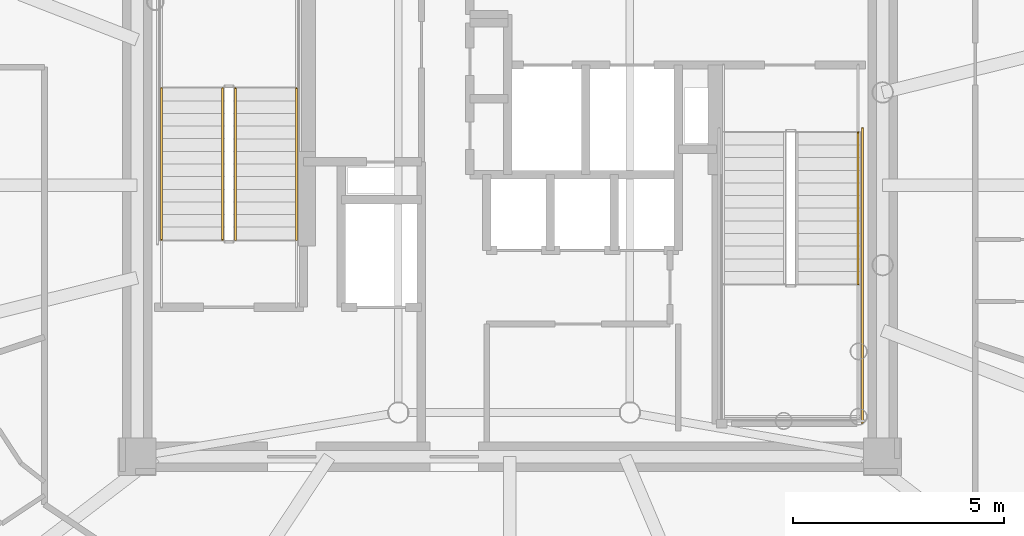
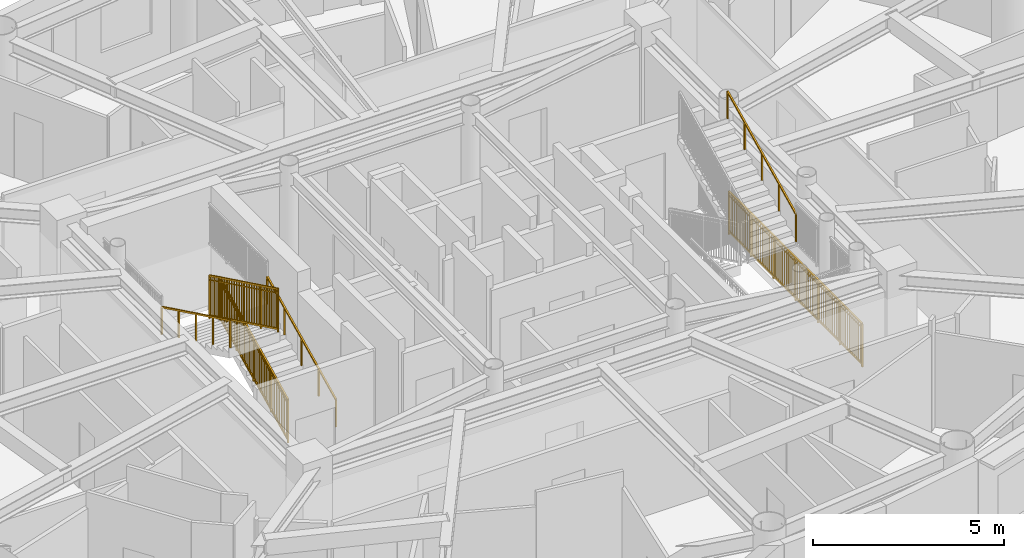
# One storey, part 14 of 17: 6 railings.
"""IFC4 building model written with IfcOpenShell, lengths in metres."""

from ifc_helpers import new_model, si_unit, direction, frame, origin, origin_2d, place, context, subcontext, project, spatial, rectangle, extrude, source, transform, mapped, material, type_object, element, save


model = new_model("IFC4")

# Units and contexts
model_context = context("Model", 3, precision=1e-05, world=origin(), true_north=direction((0.0, 1.0)))
body_context = subcontext(model_context, "Body", "Model", "MODEL_VIEW")
ifc_project = project(units=[si_unit("LENGTHUNIT", "METRE"), si_unit("AREAUNIT", "SQUARE_METRE"), si_unit("VOLUMEUNIT", "CUBIC_METRE"), si_unit("PLANEANGLEUNIT", "RADIAN"), si_unit("MASSUNIT", "GRAM", prefix="KILO")], contexts=[model_context])

# Site, building, storey
site_placement = place(None, origin())
site = spatial("IfcSite", under=ifc_project, at=site_placement, CompositionType="ELEMENT")
building_placement = place(site_placement, origin())
building = spatial("IfcBuilding", under=site, at=building_placement, Name="Linh Dai School and Residence Tower", CompositionType="ELEMENT")
storey_placement = place(building_placement, frame((0.0, 0.0, 327.800048828125)))
storey = spatial("IfcBuildingStorey", under=building, at=storey_placement, Name="L81", CompositionType="ELEMENT", Elevation=327.800048828125)

# Railings
ifc_material_1 = material(Name="Structural Steel S355JR", Category="steel")
railing_type_1 = type_object("IfcRailingType", Name="RL-ST-GUARD-1400", PredefinedType="GUARDRAIL", material=ifc_material_1)
shared_shape_1 = source(origin(), body_context, "Body", "SweptSolid", [
    extrude(rectangle(XDim=0.048095703125, YDim=0.048095703125, at=origin_2d()), frame((0.0, 0.0, 1.3759765625), z_axis=(0.0, -0.898988637874, 0.437971949985), x_axis=(1.0, 0.0, 0.0)), (0.0, 0.0, 1.0), 4.004638671875),
    extrude(rectangle(XDim=0.048095703125, YDim=0.048095703125, at=origin_2d()), frame((0.0, 0.0, 0.10009765625), z_axis=(0.0, -0.898988637874, 0.437971949985), x_axis=(1.0, 0.0, 0.0)), (0.0, 0.0, 1.0), 4.004638671875),
    extrude(rectangle(XDim=0.030029296875, YDim=0.030029296875, at=origin_2d()), frame((0.0, 0.0, 1.239990234375), z_axis=(0.0, -0.898988637874, 0.437971949985), x_axis=(1.0, 0.0, 0.0)), (0.0, 0.0, 1.0), 4.004638671875),
    extrude(rectangle(XDim=0.02001953125, YDim=0.02001953125, at=origin_2d()), frame((0.0, -0.087890625, 0.142822265625)), (0.0, 0.0, 1.0), 1.251708984375),
    extrude(rectangle(XDim=0.02001953125, YDim=0.02001953125, at=origin_2d()), frame((0.0, -0.175537109375, 0.185546875)), (0.0, 0.0, 1.0), 1.251708984375),
    extrude(rectangle(XDim=0.02001953125, YDim=0.02001953125, at=origin_2d()), frame((0.0, -0.263427734375, 0.228515625)), (0.0, 0.0, 1.0), 1.251708984375),
    extrude(rectangle(XDim=0.02001953125, YDim=0.02001953125, at=origin_2d()), frame((0.0, -0.351318359375, 0.271240234375)), (0.0, 0.0, 1.0), 1.251708984375),
    extrude(rectangle(XDim=0.02001953125, YDim=0.02001953125, at=origin_2d()), frame((0.0, -0.43896484375, 0.31396484375)), (0.0, 0.0, 1.0), 1.251708984375),
    extrude(rectangle(XDim=0.02001953125, YDim=0.02001953125, at=origin_2d()), frame((0.0, -0.52685546875, 0.356689453125)), (0.0, 0.0, 1.0), 1.251708984375),
    extrude(rectangle(XDim=0.02001953125, YDim=0.02001953125, at=origin_2d()), frame((0.0, -0.61474609375, 0.399658203125)), (0.0, 0.0, 1.0), 1.251708984375),
    extrude(rectangle(XDim=0.02001953125, YDim=0.02001953125, at=origin_2d()), frame((0.0, -0.702392578125, 0.4423828125)), (0.0, 0.0, 1.0), 1.251708984375),
    extrude(rectangle(XDim=0.02001953125, YDim=0.02001953125, at=origin_2d()), frame((0.0, -0.790283203125, 0.485107421875)), (0.0, 0.0, 1.0), 1.251708984375),
    extrude(rectangle(XDim=0.02001953125, YDim=0.02001953125, at=origin_2d()), frame((0.0, -0.9658203125, 0.570556640625)), (0.0, 0.0, 1.0), 1.251708984375),
    extrude(rectangle(XDim=0.02001953125, YDim=0.02001953125, at=origin_2d()), frame((0.0, -1.0537109375, 0.613525390625)), (0.0, 0.0, 1.0), 1.251708984375),
    extrude(rectangle(XDim=0.02001953125, YDim=0.02001953125, at=origin_2d()), frame((0.0, -1.1416015625, 0.65625)), (0.0, 0.0, 1.0), 1.251708984375),
    extrude(rectangle(XDim=0.02001953125, YDim=0.02001953125, at=origin_2d()), frame((0.0, -1.229248046875, 0.698974609375)), (0.0, 0.0, 1.0), 1.251708984375),
    extrude(rectangle(XDim=0.02001953125, YDim=0.02001953125, at=origin_2d()), frame((0.0, -1.317138671875, 0.74169921875)), (0.0, 0.0, 1.0), 1.251708984375),
    extrude(rectangle(XDim=0.02001953125, YDim=0.02001953125, at=origin_2d()), frame((0.0, -1.405029296875, 0.78466796875)), (0.0, 0.0, 1.0), 1.251708984375),
    extrude(rectangle(XDim=0.02001953125, YDim=0.02001953125, at=origin_2d()), frame((0.0, -1.49267578125, 0.827392578125)), (0.0, 0.0, 1.0), 1.251708984375),
    extrude(rectangle(XDim=0.02001953125, YDim=0.02001953125, at=origin_2d()), frame((0.0, -1.58056640625, 0.8701171875)), (0.0, 0.0, 1.0), 1.251708984375),
    extrude(rectangle(XDim=0.02001953125, YDim=0.02001953125, at=origin_2d()), frame((0.0, -1.66845703125, 0.912841796875)), (0.0, 0.0, 1.0), 1.251708984375),
    extrude(rectangle(XDim=0.02001953125, YDim=0.02001953125, at=origin_2d()), frame((0.0, -1.756103515625, 0.95556640625)), (0.0, 0.0, 1.0), 1.251708984375),
    extrude(rectangle(XDim=0.02001953125, YDim=0.02001953125, at=origin_2d()), frame((0.0, -1.843994140625, 0.99853515625)), (0.0, 0.0, 1.0), 1.251708984375),
    extrude(rectangle(XDim=0.02001953125, YDim=0.02001953125, at=origin_2d()), frame((0.0, -1.931640625, 1.041259765625)), (0.0, 0.0, 1.0), 1.251708984375),
    extrude(rectangle(XDim=0.02001953125, YDim=0.02001953125, at=origin_2d()), frame((0.0, -2.01953125, 1.083984375)), (0.0, 0.0, 1.0), 1.251708984375),
    extrude(rectangle(XDim=0.02001953125, YDim=0.02001953125, at=origin_2d()), frame((0.0, -2.107421875, 1.126708984375)), (0.0, 0.0, 1.0), 1.251708984375),
    extrude(rectangle(XDim=0.02001953125, YDim=0.02001953125, at=origin_2d()), frame((0.0, -2.195068359375, 1.16943359375)), (0.0, 0.0, 1.0), 1.251708984375),
    extrude(rectangle(XDim=0.02001953125, YDim=0.02001953125, at=origin_2d()), frame((0.0, -2.282958984375, 1.21240234375)), (0.0, 0.0, 1.0), 1.251708984375),
    extrude(rectangle(XDim=0.02001953125, YDim=0.02001953125, at=origin_2d()), frame((0.0, -2.370849609375, 1.255126953125)), (0.0, 0.0, 1.0), 1.251708984375),
    extrude(rectangle(XDim=0.02001953125, YDim=0.02001953125, at=origin_2d()), frame((0.0, -2.45849609375, 1.2978515625)), (0.0, 0.0, 1.0), 1.251708984375),
    extrude(rectangle(XDim=0.02001953125, YDim=0.02001953125, at=origin_2d()), frame((0.0, -2.54638671875, 1.340576171875)), (0.0, 0.0, 1.0), 1.251708984375),
    extrude(rectangle(XDim=0.02001953125, YDim=0.02001953125, at=origin_2d()), frame((0.0, -2.63427734375, 1.383544921875)), (0.0, 0.0, 1.0), 1.251708984375),
    extrude(rectangle(XDim=0.02001953125, YDim=0.02001953125, at=origin_2d()), frame((0.0, -2.809814453125, 1.468994140625)), (0.0, 0.0, 1.0), 1.251708984375),
    extrude(rectangle(XDim=0.02001953125, YDim=0.02001953125, at=origin_2d()), frame((0.0, -2.897705078125, 1.51171875)), (0.0, 0.0, 1.0), 1.251708984375),
    extrude(rectangle(XDim=0.02001953125, YDim=0.02001953125, at=origin_2d()), frame((0.0, -2.9853515625, 1.554443359375)), (0.0, 0.0, 1.0), 1.251708984375),
    extrude(rectangle(XDim=0.02001953125, YDim=0.02001953125, at=origin_2d()), frame((0.0, -3.0732421875, 1.597412109375)), (0.0, 0.0, 1.0), 1.251708984375),
    extrude(rectangle(XDim=0.02001953125, YDim=0.02001953125, at=origin_2d()), frame((0.0, -3.1611328125, 1.64013671875)), (0.0, 0.0, 1.0), 1.251708984375),
    extrude(rectangle(XDim=0.02001953125, YDim=0.02001953125, at=origin_2d()), frame((0.0, -3.248779296875, 1.682861328125)), (0.0, 0.0, 1.0), 1.251708984375),
    extrude(rectangle(XDim=0.02001953125, YDim=0.02001953125, at=origin_2d()), frame((0.0, -3.336669921875, 1.7255859375)), (0.0, 0.0, 1.0), 1.251708984375),
    extrude(rectangle(XDim=0.02001953125, YDim=0.02001953125, at=origin_2d()), frame((0.0, -3.424560546875, 1.7685546875)), (0.0, 0.0, 1.0), 1.251708984375),
    extrude(rectangle(XDim=0.02001953125, YDim=0.02001953125, at=origin_2d()), frame((0.0, -3.51220703125, 1.811279296875)), (0.0, 0.0, 1.0), 1.251708984375),
    extrude(rectangle(XDim=0.0419921875, YDim=0.0419921875, at=origin_2d()), origin(), (0.0, 0.0, 1.0), 1.3759765625),
    extrude(rectangle(XDim=0.0419921875, YDim=0.0419921875, at=origin_2d()), frame((0.0, -0.89990234375, 0.4384765625)), (0.0, 0.0, 1.0), 1.3759765625),
    extrude(rectangle(XDim=0.0419921875, YDim=0.0419921875, at=origin_2d()), frame((0.0, -1.800048828125, 0.876953125)), (0.0, 0.0, 1.0), 1.3759765625),
    extrude(rectangle(XDim=0.0419921875, YDim=0.0419921875, at=origin_2d()), frame((0.0, -2.7001953125, 1.3154296875)), (0.0, 0.0, 1.0), 1.3759765625),
    extrude(rectangle(XDim=0.0419921875, YDim=0.0419921875, at=origin_2d()), frame((0.0, -3.60009765625, 1.75390625)), (0.0, 0.0, 1.0), 1.3759765625),
])
railing_1_placement = place(storey_placement, frame((29.179931640625, 29.300048828125, 2.046142578125)))
element("IfcRailing", 1, at=railing_1_placement, inside=storey, type_object=railing_type_1, Name="L81 ST1 stair guard 6", PredefinedType="GUARDRAIL", context=body_context, shape_type="MappedRepresentation", body=[
    mapped(shared_shape_1, transform((0.0, 0.0, 0.0), x_axis=(1.0, 0.0, 0.0), y_axis=(0.0, 1.0, 0.0), z_axis=(0.0, 0.0, 1.0), scale=1.0)),
])
ifc_material_2 = material(Name="Brushed Stainless Steel Handrail", Category="steel")
railing_type_2 = type_object("IfcRailingType", Name="RL-ST-HANDRAIL-900", PredefinedType="HANDRAIL", material=ifc_material_2)
shared_shape_2 = source(origin(), body_context, "Body", "SweptSolid", [
    extrude(rectangle(XDim=0.048095703125, YDim=0.048095703125, at=origin_2d()), frame((0.0, 0.0, 0.8759765625), z_axis=(0.0, -0.898988637874, 0.437971949985), x_axis=(1.0, 0.0, 0.0)), (0.0, 0.0, 1.0), 4.004638671875),
    extrude(rectangle(XDim=0.0419921875, YDim=0.0419921875, at=origin_2d()), origin(), (0.0, 0.0, 1.0), 0.8759765625),
    extrude(rectangle(XDim=0.0419921875, YDim=0.0419921875, at=origin_2d()), frame((0.0, -0.89990234375, 0.4384765625)), (0.0, 0.0, 1.0), 0.8759765625),
    extrude(rectangle(XDim=0.0419921875, YDim=0.0419921875, at=origin_2d()), frame((0.0, -1.800048828125, 0.876953125)), (0.0, 0.0, 1.0), 0.8759765625),
    extrude(rectangle(XDim=0.0419921875, YDim=0.0419921875, at=origin_2d()), frame((0.0, -2.7001953125, 1.3154296875)), (0.0, 0.0, 1.0), 0.8759765625),
    extrude(rectangle(XDim=0.0419921875, YDim=0.0419921875, at=origin_2d()), frame((0.0, -3.60009765625, 1.75390625)), (0.0, 0.0, 1.0), 0.8759765625),
])
railing_2_placement = place(storey_placement, frame((27.72998046875, 29.300048828125, 2.046142578125)))
element("IfcRailing", 2, at=railing_2_placement, inside=storey, type_object=railing_type_2, Name="L81 ST1 stair handrail 2", PredefinedType="HANDRAIL", context=body_context, shape_type="MappedRepresentation", body=[
    mapped(shared_shape_2, transform((0.0, 0.0, 0.0), x_axis=(1.0, 0.0, 0.0), y_axis=(0.0, 1.0, 0.0), z_axis=(0.0, 0.0, 1.0), scale=1.0)),
])
shared_shape_3 = source(origin(), body_context, "Body", "SweptSolid", [
    extrude(rectangle(XDim=0.048095703125, YDim=0.048095703125, at=origin_2d()), frame((0.0, 0.0, 1.3759765625), z_axis=(0.0, 0.898988637874, 0.437971949985), x_axis=(-1.0, 0.0, 0.0)), (0.0, 0.0, 1.0), 4.004638671875),
    extrude(rectangle(XDim=0.048095703125, YDim=0.048095703125, at=origin_2d()), frame((0.0, 0.0, 0.10009765625), z_axis=(0.0, 0.898988637874, 0.437971949985), x_axis=(-1.0, 0.0, 0.0)), (0.0, 0.0, 1.0), 4.004638671875),
    extrude(rectangle(XDim=0.030029296875, YDim=0.030029296875, at=origin_2d()), frame((0.0, 0.0, 1.239990234375), z_axis=(0.0, 0.898988637874, 0.437971949985), x_axis=(-1.0, 0.0, 0.0)), (0.0, 0.0, 1.0), 4.004638671875),
    extrude(rectangle(XDim=0.02001953125, YDim=0.02001953125, at=origin_2d()), frame((0.0, 0.087890625, 0.142822265625)), (0.0, 0.0, 1.0), 1.251708984375),
    extrude(rectangle(XDim=0.02001953125, YDim=0.02001953125, at=origin_2d()), frame((0.0, 0.175537109375, 0.185546875)), (0.0, 0.0, 1.0), 1.251708984375),
    extrude(rectangle(XDim=0.02001953125, YDim=0.02001953125, at=origin_2d()), frame((0.0, 0.263427734375, 0.228515625)), (0.0, 0.0, 1.0), 1.251708984375),
    extrude(rectangle(XDim=0.02001953125, YDim=0.02001953125, at=origin_2d()), frame((0.0, 0.351318359375, 0.271240234375)), (0.0, 0.0, 1.0), 1.251708984375),
    extrude(rectangle(XDim=0.02001953125, YDim=0.02001953125, at=origin_2d()), frame((0.0, 0.43896484375, 0.31396484375)), (0.0, 0.0, 1.0), 1.251708984375),
    extrude(rectangle(XDim=0.02001953125, YDim=0.02001953125, at=origin_2d()), frame((0.0, 0.52685546875, 0.356689453125)), (0.0, 0.0, 1.0), 1.251708984375),
    extrude(rectangle(XDim=0.02001953125, YDim=0.02001953125, at=origin_2d()), frame((0.0, 0.61474609375, 0.399658203125)), (0.0, 0.0, 1.0), 1.251708984375),
    extrude(rectangle(XDim=0.02001953125, YDim=0.02001953125, at=origin_2d()), frame((0.0, 0.702392578125, 0.4423828125)), (0.0, 0.0, 1.0), 1.251708984375),
    extrude(rectangle(XDim=0.02001953125, YDim=0.02001953125, at=origin_2d()), frame((0.0, 0.790283203125, 0.485107421875)), (0.0, 0.0, 1.0), 1.251708984375),
    extrude(rectangle(XDim=0.02001953125, YDim=0.02001953125, at=origin_2d()), frame((0.0, 0.9658203125, 0.570556640625)), (0.0, 0.0, 1.0), 1.251708984375),
    extrude(rectangle(XDim=0.02001953125, YDim=0.02001953125, at=origin_2d()), frame((0.0, 1.0537109375, 0.613525390625)), (0.0, 0.0, 1.0), 1.251708984375),
    extrude(rectangle(XDim=0.02001953125, YDim=0.02001953125, at=origin_2d()), frame((0.0, 1.1416015625, 0.65625)), (0.0, 0.0, 1.0), 1.251708984375),
    extrude(rectangle(XDim=0.02001953125, YDim=0.02001953125, at=origin_2d()), frame((0.0, 1.229248046875, 0.698974609375)), (0.0, 0.0, 1.0), 1.251708984375),
    extrude(rectangle(XDim=0.02001953125, YDim=0.02001953125, at=origin_2d()), frame((0.0, 1.317138671875, 0.74169921875)), (0.0, 0.0, 1.0), 1.251708984375),
    extrude(rectangle(XDim=0.02001953125, YDim=0.02001953125, at=origin_2d()), frame((0.0, 1.405029296875, 0.78466796875)), (0.0, 0.0, 1.0), 1.251708984375),
    extrude(rectangle(XDim=0.02001953125, YDim=0.02001953125, at=origin_2d()), frame((0.0, 1.49267578125, 0.827392578125)), (0.0, 0.0, 1.0), 1.251708984375),
    extrude(rectangle(XDim=0.02001953125, YDim=0.02001953125, at=origin_2d()), frame((0.0, 1.58056640625, 0.8701171875)), (0.0, 0.0, 1.0), 1.251708984375),
    extrude(rectangle(XDim=0.02001953125, YDim=0.02001953125, at=origin_2d()), frame((0.0, 1.66845703125, 0.912841796875)), (0.0, 0.0, 1.0), 1.251708984375),
    extrude(rectangle(XDim=0.02001953125, YDim=0.02001953125, at=origin_2d()), frame((0.0, 1.756103515625, 0.95556640625)), (0.0, 0.0, 1.0), 1.251708984375),
    extrude(rectangle(XDim=0.02001953125, YDim=0.02001953125, at=origin_2d()), frame((0.0, 1.843994140625, 0.99853515625)), (0.0, 0.0, 1.0), 1.251708984375),
    extrude(rectangle(XDim=0.02001953125, YDim=0.02001953125, at=origin_2d()), frame((0.0, 1.931640625, 1.041259765625)), (0.0, 0.0, 1.0), 1.251708984375),
    extrude(rectangle(XDim=0.02001953125, YDim=0.02001953125, at=origin_2d()), frame((0.0, 2.01953125, 1.083984375)), (0.0, 0.0, 1.0), 1.251708984375),
    extrude(rectangle(XDim=0.02001953125, YDim=0.02001953125, at=origin_2d()), frame((0.0, 2.107421875, 1.126708984375)), (0.0, 0.0, 1.0), 1.251708984375),
    extrude(rectangle(XDim=0.02001953125, YDim=0.02001953125, at=origin_2d()), frame((0.0, 2.195068359375, 1.16943359375)), (0.0, 0.0, 1.0), 1.251708984375),
    extrude(rectangle(XDim=0.02001953125, YDim=0.02001953125, at=origin_2d()), frame((0.0, 2.282958984375, 1.21240234375)), (0.0, 0.0, 1.0), 1.251708984375),
    extrude(rectangle(XDim=0.02001953125, YDim=0.02001953125, at=origin_2d()), frame((0.0, 2.370849609375, 1.255126953125)), (0.0, 0.0, 1.0), 1.251708984375),
    extrude(rectangle(XDim=0.02001953125, YDim=0.02001953125, at=origin_2d()), frame((0.0, 2.45849609375, 1.2978515625)), (0.0, 0.0, 1.0), 1.251708984375),
    extrude(rectangle(XDim=0.02001953125, YDim=0.02001953125, at=origin_2d()), frame((0.0, 2.54638671875, 1.340576171875)), (0.0, 0.0, 1.0), 1.251708984375),
    extrude(rectangle(XDim=0.02001953125, YDim=0.02001953125, at=origin_2d()), frame((0.0, 2.63427734375, 1.383544921875)), (0.0, 0.0, 1.0), 1.251708984375),
    extrude(rectangle(XDim=0.02001953125, YDim=0.02001953125, at=origin_2d()), frame((0.0, 2.809814453125, 1.468994140625)), (0.0, 0.0, 1.0), 1.251708984375),
    extrude(rectangle(XDim=0.02001953125, YDim=0.02001953125, at=origin_2d()), frame((0.0, 2.897705078125, 1.51171875)), (0.0, 0.0, 1.0), 1.251708984375),
    extrude(rectangle(XDim=0.02001953125, YDim=0.02001953125, at=origin_2d()), frame((0.0, 2.9853515625, 1.554443359375)), (0.0, 0.0, 1.0), 1.251708984375),
    extrude(rectangle(XDim=0.02001953125, YDim=0.02001953125, at=origin_2d()), frame((0.0, 3.0732421875, 1.597412109375)), (0.0, 0.0, 1.0), 1.251708984375),
    extrude(rectangle(XDim=0.02001953125, YDim=0.02001953125, at=origin_2d()), frame((0.0, 3.1611328125, 1.64013671875)), (0.0, 0.0, 1.0), 1.251708984375),
    extrude(rectangle(XDim=0.02001953125, YDim=0.02001953125, at=origin_2d()), frame((0.0, 3.248779296875, 1.682861328125)), (0.0, 0.0, 1.0), 1.251708984375),
    extrude(rectangle(XDim=0.02001953125, YDim=0.02001953125, at=origin_2d()), frame((0.0, 3.336669921875, 1.7255859375)), (0.0, 0.0, 1.0), 1.251708984375),
    extrude(rectangle(XDim=0.02001953125, YDim=0.02001953125, at=origin_2d()), frame((0.0, 3.424560546875, 1.7685546875)), (0.0, 0.0, 1.0), 1.251708984375),
    extrude(rectangle(XDim=0.02001953125, YDim=0.02001953125, at=origin_2d()), frame((0.0, 3.51220703125, 1.811279296875)), (0.0, 0.0, 1.0), 1.251708984375),
    extrude(rectangle(XDim=0.0419921875, YDim=0.0419921875, at=origin_2d()), origin(), (0.0, 0.0, 1.0), 1.3759765625),
    extrude(rectangle(XDim=0.0419921875, YDim=0.0419921875, at=origin_2d()), frame((0.0, 0.89990234375, 0.4384765625)), (0.0, 0.0, 1.0), 1.3759765625),
    extrude(rectangle(XDim=0.0419921875, YDim=0.0419921875, at=origin_2d()), frame((0.0, 1.800048828125, 0.876953125)), (0.0, 0.0, 1.0), 1.3759765625),
    extrude(rectangle(XDim=0.0419921875, YDim=0.0419921875, at=origin_2d()), frame((0.0, 2.7001953125, 1.3154296875)), (0.0, 0.0, 1.0), 1.3759765625),
    extrude(rectangle(XDim=0.0419921875, YDim=0.0419921875, at=origin_2d()), frame((0.0, 3.60009765625, 1.75390625)), (0.0, 0.0, 1.0), 1.3759765625),
])
railing_3_placement = place(storey_placement, frame((29.47998046875, 25.699951171875, 0.14599609375)))
element("IfcRailing", 3, at=railing_3_placement, inside=storey, type_object=railing_type_1, Name="L81 ST1 stair guard 1", PredefinedType="GUARDRAIL", context=body_context, shape_type="MappedRepresentation", body=[
    mapped(shared_shape_3, transform((0.0, 0.0, 0.0), x_axis=(1.0, 0.0, 0.0), y_axis=(0.0, 1.0, 0.0), z_axis=(0.0, 0.0, 1.0), scale=1.0)),
])
shared_shape_4 = source(origin(), body_context, "Body", "SweptSolid", [
    extrude(rectangle(XDim=0.048095703125, YDim=0.048095703125, at=origin_2d()), frame((0.0, 0.0, 0.8759765625), z_axis=(0.0, 0.898988637874, 0.437971949985), x_axis=(-1.0, 0.0, 0.0)), (0.0, 0.0, 1.0), 4.004638671875),
    extrude(rectangle(XDim=0.0419921875, YDim=0.0419921875, at=origin_2d()), origin(), (0.0, 0.0, 1.0), 0.8759765625),
    extrude(rectangle(XDim=0.0419921875, YDim=0.0419921875, at=origin_2d()), frame((0.0, 0.89990234375, 0.4384765625)), (0.0, 0.0, 1.0), 0.8759765625),
    extrude(rectangle(XDim=0.0419921875, YDim=0.0419921875, at=origin_2d()), frame((0.0, 1.800048828125, 0.876953125)), (0.0, 0.0, 1.0), 0.8759765625),
    extrude(rectangle(XDim=0.0419921875, YDim=0.0419921875, at=origin_2d()), frame((0.0, 2.7001953125, 1.3154296875)), (0.0, 0.0, 1.0), 0.8759765625),
    extrude(rectangle(XDim=0.0419921875, YDim=0.0419921875, at=origin_2d()), frame((0.0, 3.60009765625, 1.75390625)), (0.0, 0.0, 1.0), 0.8759765625),
])
for number, where, name in (
    (4, (30.929931640625, 25.699951171875, 0.14599609375), "L81 ST1 stair handrail 1"),
    (5, (44.27001953125, 24.64990234375, 2.046142578125), "L81 ST2 stair handrail 2"),
):
    element("IfcRailing", number, at=place(storey_placement, frame(where)), inside=storey, type_object=railing_type_2, Name=name, PredefinedType="HANDRAIL", context=body_context, shape_type="MappedRepresentation", body=[
        mapped(shared_shape_4, transform((0.0, 0.0, 0.0), x_axis=(1.0, 0.0, 0.0), y_axis=(0.0, 1.0, 0.0), z_axis=(0.0, 0.0, 1.0), scale=1.0)),
    ])
shared_shape_5 = source(origin(), body_context, "Body", "SweptSolid", [
    extrude(rectangle(XDim=0.048095703125, YDim=0.048095703125, at=origin_2d()), frame((0.0, 0.0, 1.3759765625), z_axis=(0.0, -1.0, 0.0), x_axis=(1.0, 0.0, 0.0)), (0.0, 0.0, 1.0), 7.0),
    extrude(rectangle(XDim=0.048095703125, YDim=0.048095703125, at=origin_2d()), frame((0.0, 0.0, 0.10009765625), z_axis=(0.0, -1.0, 0.0), x_axis=(1.0, 0.0, 0.0)), (0.0, 0.0, 1.0), 7.0),
    extrude(rectangle(XDim=0.030029296875, YDim=0.030029296875, at=origin_2d()), frame((0.0, 0.0, 1.239990234375), z_axis=(0.0, -1.0, 0.0), x_axis=(1.0, 0.0, 0.0)), (0.0, 0.0, 1.0), 7.0),
    extrude(rectangle(XDim=0.02001953125, YDim=0.02001953125, at=origin_2d()), frame((0.0, -0.09716796875, 0.10009765625)), (0.0, 0.0, 1.0), 1.251708984375),
    extrude(rectangle(XDim=0.02001953125, YDim=0.02001953125, at=origin_2d()), frame((0.0, -0.1943359375, 0.10009765625)), (0.0, 0.0, 1.0), 1.251708984375),
    extrude(rectangle(XDim=0.02001953125, YDim=0.02001953125, at=origin_2d()), frame((0.0, -0.291748046875, 0.10009765625)), (0.0, 0.0, 1.0), 1.251708984375),
    extrude(rectangle(XDim=0.02001953125, YDim=0.02001953125, at=origin_2d()), frame((0.0, -0.388916015625, 0.10009765625)), (0.0, 0.0, 1.0), 1.251708984375),
    extrude(rectangle(XDim=0.02001953125, YDim=0.02001953125, at=origin_2d()), frame((0.0, -0.486083984375, 0.10009765625)), (0.0, 0.0, 1.0), 1.251708984375),
    extrude(rectangle(XDim=0.02001953125, YDim=0.02001953125, at=origin_2d()), frame((0.0, -0.583251953125, 0.10009765625)), (0.0, 0.0, 1.0), 1.251708984375),
    extrude(rectangle(XDim=0.02001953125, YDim=0.02001953125, at=origin_2d()), frame((0.0, -0.6806640625, 0.10009765625)), (0.0, 0.0, 1.0), 1.251708984375),
    extrude(rectangle(XDim=0.02001953125, YDim=0.02001953125, at=origin_2d()), frame((0.0, -0.77783203125, 0.10009765625)), (0.0, 0.0, 1.0), 1.251708984375),
    extrude(rectangle(XDim=0.02001953125, YDim=0.02001953125, at=origin_2d()), frame((0.0, -0.875, 0.10009765625)), (0.0, 0.0, 1.0), 1.251708984375),
    extrude(rectangle(XDim=0.02001953125, YDim=0.02001953125, at=origin_2d()), frame((0.0, -0.97216796875, 0.10009765625)), (0.0, 0.0, 1.0), 1.251708984375),
    extrude(rectangle(XDim=0.02001953125, YDim=0.02001953125, at=origin_2d()), frame((0.0, -1.0693359375, 0.10009765625)), (0.0, 0.0, 1.0), 1.251708984375),
    extrude(rectangle(XDim=0.02001953125, YDim=0.02001953125, at=origin_2d()), frame((0.0, -1.263916015625, 0.10009765625)), (0.0, 0.0, 1.0), 1.251708984375),
    extrude(rectangle(XDim=0.02001953125, YDim=0.02001953125, at=origin_2d()), frame((0.0, -1.361083984375, 0.10009765625)), (0.0, 0.0, 1.0), 1.251708984375),
    extrude(rectangle(XDim=0.02001953125, YDim=0.02001953125, at=origin_2d()), frame((0.0, -1.458251953125, 0.10009765625)), (0.0, 0.0, 1.0), 1.251708984375),
    extrude(rectangle(XDim=0.02001953125, YDim=0.02001953125, at=origin_2d()), frame((0.0, -1.5556640625, 0.10009765625)), (0.0, 0.0, 1.0), 1.251708984375),
    extrude(rectangle(XDim=0.02001953125, YDim=0.02001953125, at=origin_2d()), frame((0.0, -1.65283203125, 0.10009765625)), (0.0, 0.0, 1.0), 1.251708984375),
    extrude(rectangle(XDim=0.02001953125, YDim=0.02001953125, at=origin_2d()), frame((0.0, -1.75, 0.10009765625)), (0.0, 0.0, 1.0), 1.251708984375),
    extrude(rectangle(XDim=0.02001953125, YDim=0.02001953125, at=origin_2d()), frame((0.0, -1.84716796875, 0.10009765625)), (0.0, 0.0, 1.0), 1.251708984375),
    extrude(rectangle(XDim=0.02001953125, YDim=0.02001953125, at=origin_2d()), frame((0.0, -1.9443359375, 0.10009765625)), (0.0, 0.0, 1.0), 1.251708984375),
    extrude(rectangle(XDim=0.02001953125, YDim=0.02001953125, at=origin_2d()), frame((0.0, -2.041748046875, 0.10009765625)), (0.0, 0.0, 1.0), 1.251708984375),
    extrude(rectangle(XDim=0.02001953125, YDim=0.02001953125, at=origin_2d()), frame((0.0, -2.138916015625, 0.10009765625)), (0.0, 0.0, 1.0), 1.251708984375),
    extrude(rectangle(XDim=0.02001953125, YDim=0.02001953125, at=origin_2d()), frame((0.0, -2.236083984375, 0.10009765625)), (0.0, 0.0, 1.0), 1.251708984375),
    extrude(rectangle(XDim=0.02001953125, YDim=0.02001953125, at=origin_2d()), frame((0.0, -2.4306640625, 0.10009765625)), (0.0, 0.0, 1.0), 1.251708984375),
    extrude(rectangle(XDim=0.02001953125, YDim=0.02001953125, at=origin_2d()), frame((0.0, -2.52783203125, 0.10009765625)), (0.0, 0.0, 1.0), 1.251708984375),
    extrude(rectangle(XDim=0.02001953125, YDim=0.02001953125, at=origin_2d()), frame((0.0, -2.625, 0.10009765625)), (0.0, 0.0, 1.0), 1.251708984375),
    extrude(rectangle(XDim=0.02001953125, YDim=0.02001953125, at=origin_2d()), frame((0.0, -2.72216796875, 0.10009765625)), (0.0, 0.0, 1.0), 1.251708984375),
    extrude(rectangle(XDim=0.02001953125, YDim=0.02001953125, at=origin_2d()), frame((0.0, -2.8193359375, 0.10009765625)), (0.0, 0.0, 1.0), 1.251708984375),
    extrude(rectangle(XDim=0.02001953125, YDim=0.02001953125, at=origin_2d()), frame((0.0, -2.916748046875, 0.10009765625)), (0.0, 0.0, 1.0), 1.251708984375),
    extrude(rectangle(XDim=0.02001953125, YDim=0.02001953125, at=origin_2d()), frame((0.0, -3.013916015625, 0.10009765625)), (0.0, 0.0, 1.0), 1.251708984375),
    extrude(rectangle(XDim=0.02001953125, YDim=0.02001953125, at=origin_2d()), frame((0.0, -3.111083984375, 0.10009765625)), (0.0, 0.0, 1.0), 1.251708984375),
    extrude(rectangle(XDim=0.02001953125, YDim=0.02001953125, at=origin_2d()), frame((0.0, -3.208251953125, 0.10009765625)), (0.0, 0.0, 1.0), 1.251708984375),
    extrude(rectangle(XDim=0.02001953125, YDim=0.02001953125, at=origin_2d()), frame((0.0, -3.3056640625, 0.10009765625)), (0.0, 0.0, 1.0), 1.251708984375),
    extrude(rectangle(XDim=0.02001953125, YDim=0.02001953125, at=origin_2d()), frame((0.0, -3.40283203125, 0.10009765625)), (0.0, 0.0, 1.0), 1.251708984375),
    extrude(rectangle(XDim=0.02001953125, YDim=0.02001953125, at=origin_2d()), frame((0.0, -3.59716796875, 0.10009765625)), (0.0, 0.0, 1.0), 1.251708984375),
    extrude(rectangle(XDim=0.02001953125, YDim=0.02001953125, at=origin_2d()), frame((0.0, -3.6943359375, 0.10009765625)), (0.0, 0.0, 1.0), 1.251708984375),
    extrude(rectangle(XDim=0.02001953125, YDim=0.02001953125, at=origin_2d()), frame((0.0, -3.791748046875, 0.10009765625)), (0.0, 0.0, 1.0), 1.251708984375),
    extrude(rectangle(XDim=0.02001953125, YDim=0.02001953125, at=origin_2d()), frame((0.0, -3.888916015625, 0.10009765625)), (0.0, 0.0, 1.0), 1.251708984375),
    extrude(rectangle(XDim=0.02001953125, YDim=0.02001953125, at=origin_2d()), frame((0.0, -3.986083984375, 0.10009765625)), (0.0, 0.0, 1.0), 1.251708984375),
    extrude(rectangle(XDim=0.02001953125, YDim=0.02001953125, at=origin_2d()), frame((0.0, -4.083251953125, 0.10009765625)), (0.0, 0.0, 1.0), 1.251708984375),
    extrude(rectangle(XDim=0.02001953125, YDim=0.02001953125, at=origin_2d()), frame((0.0, -4.1806640625, 0.10009765625)), (0.0, 0.0, 1.0), 1.251708984375),
    extrude(rectangle(XDim=0.02001953125, YDim=0.02001953125, at=origin_2d()), frame((0.0, -4.27783203125, 0.10009765625)), (0.0, 0.0, 1.0), 1.251708984375),
    extrude(rectangle(XDim=0.02001953125, YDim=0.02001953125, at=origin_2d()), frame((0.0, -4.375, 0.10009765625)), (0.0, 0.0, 1.0), 1.251708984375),
    extrude(rectangle(XDim=0.02001953125, YDim=0.02001953125, at=origin_2d()), frame((0.0, -4.47216796875, 0.10009765625)), (0.0, 0.0, 1.0), 1.251708984375),
    extrude(rectangle(XDim=0.02001953125, YDim=0.02001953125, at=origin_2d()), frame((0.0, -4.5693359375, 0.10009765625)), (0.0, 0.0, 1.0), 1.251708984375),
    extrude(rectangle(XDim=0.02001953125, YDim=0.02001953125, at=origin_2d()), frame((0.0, -4.763916015625, 0.10009765625)), (0.0, 0.0, 1.0), 1.251708984375),
    extrude(rectangle(XDim=0.02001953125, YDim=0.02001953125, at=origin_2d()), frame((0.0, -4.861083984375, 0.10009765625)), (0.0, 0.0, 1.0), 1.251708984375),
    extrude(rectangle(XDim=0.02001953125, YDim=0.02001953125, at=origin_2d()), frame((0.0, -4.958251953125, 0.10009765625)), (0.0, 0.0, 1.0), 1.251708984375),
    extrude(rectangle(XDim=0.02001953125, YDim=0.02001953125, at=origin_2d()), frame((0.0, -5.0556640625, 0.10009765625)), (0.0, 0.0, 1.0), 1.251708984375),
    extrude(rectangle(XDim=0.02001953125, YDim=0.02001953125, at=origin_2d()), frame((0.0, -5.15283203125, 0.10009765625)), (0.0, 0.0, 1.0), 1.251708984375),
    extrude(rectangle(XDim=0.02001953125, YDim=0.02001953125, at=origin_2d()), frame((0.0, -5.25, 0.10009765625)), (0.0, 0.0, 1.0), 1.251708984375),
    extrude(rectangle(XDim=0.02001953125, YDim=0.02001953125, at=origin_2d()), frame((0.0, -5.34716796875, 0.10009765625)), (0.0, 0.0, 1.0), 1.251708984375),
    extrude(rectangle(XDim=0.02001953125, YDim=0.02001953125, at=origin_2d()), frame((0.0, -5.4443359375, 0.10009765625)), (0.0, 0.0, 1.0), 1.251708984375),
    extrude(rectangle(XDim=0.02001953125, YDim=0.02001953125, at=origin_2d()), frame((0.0, -5.541748046875, 0.10009765625)), (0.0, 0.0, 1.0), 1.251708984375),
    extrude(rectangle(XDim=0.02001953125, YDim=0.02001953125, at=origin_2d()), frame((0.0, -5.638916015625, 0.10009765625)), (0.0, 0.0, 1.0), 1.251708984375),
    extrude(rectangle(XDim=0.02001953125, YDim=0.02001953125, at=origin_2d()), frame((0.0, -5.736083984375, 0.10009765625)), (0.0, 0.0, 1.0), 1.251708984375),
    extrude(rectangle(XDim=0.02001953125, YDim=0.02001953125, at=origin_2d()), frame((0.0, -5.9306640625, 0.10009765625)), (0.0, 0.0, 1.0), 1.251708984375),
    extrude(rectangle(XDim=0.02001953125, YDim=0.02001953125, at=origin_2d()), frame((0.0, -6.02783203125, 0.10009765625)), (0.0, 0.0, 1.0), 1.251708984375),
    extrude(rectangle(XDim=0.02001953125, YDim=0.02001953125, at=origin_2d()), frame((0.0, -6.125, 0.10009765625)), (0.0, 0.0, 1.0), 1.251708984375),
    extrude(rectangle(XDim=0.02001953125, YDim=0.02001953125, at=origin_2d()), frame((0.0, -6.22216796875, 0.10009765625)), (0.0, 0.0, 1.0), 1.251708984375),
    extrude(rectangle(XDim=0.02001953125, YDim=0.02001953125, at=origin_2d()), frame((0.0, -6.3193359375, 0.10009765625)), (0.0, 0.0, 1.0), 1.251708984375),
    extrude(rectangle(XDim=0.02001953125, YDim=0.02001953125, at=origin_2d()), frame((0.0, -6.416748046875, 0.10009765625)), (0.0, 0.0, 1.0), 1.251708984375),
    extrude(rectangle(XDim=0.02001953125, YDim=0.02001953125, at=origin_2d()), frame((0.0, -6.513916015625, 0.10009765625)), (0.0, 0.0, 1.0), 1.251708984375),
    extrude(rectangle(XDim=0.02001953125, YDim=0.02001953125, at=origin_2d()), frame((0.0, -6.611083984375, 0.10009765625)), (0.0, 0.0, 1.0), 1.251708984375),
    extrude(rectangle(XDim=0.02001953125, YDim=0.02001953125, at=origin_2d()), frame((0.0, -6.708251953125, 0.10009765625)), (0.0, 0.0, 1.0), 1.251708984375),
    extrude(rectangle(XDim=0.02001953125, YDim=0.02001953125, at=origin_2d()), frame((0.0, -6.8056640625, 0.10009765625)), (0.0, 0.0, 1.0), 1.251708984375),
    extrude(rectangle(XDim=0.02001953125, YDim=0.02001953125, at=origin_2d()), frame((0.0, -6.90283203125, 0.10009765625)), (0.0, 0.0, 1.0), 1.251708984375),
    extrude(rectangle(XDim=0.0419921875, YDim=0.0419921875, at=origin_2d()), origin(), (0.0, 0.0, 1.0), 1.3759765625),
    extrude(rectangle(XDim=0.0419921875, YDim=0.0419921875, at=origin_2d()), frame((0.0, -1.166748046875, 0.0)), (0.0, 0.0, 1.0), 1.3759765625),
    extrude(rectangle(XDim=0.0419921875, YDim=0.0419921875, at=origin_2d()), frame((0.0, -2.333251953125, 0.0)), (0.0, 0.0, 1.0), 1.3759765625),
    extrude(rectangle(XDim=0.0419921875, YDim=0.0419921875, at=origin_2d()), frame((0.0, -3.5, 0.0)), (0.0, 0.0, 1.0), 1.3759765625),
    extrude(rectangle(XDim=0.0419921875, YDim=0.0419921875, at=origin_2d()), frame((0.0, -4.666748046875, 0.0)), (0.0, 0.0, 1.0), 1.3759765625),
    extrude(rectangle(XDim=0.0419921875, YDim=0.0419921875, at=origin_2d()), frame((0.0, -5.833251953125, 0.0)), (0.0, 0.0, 1.0), 1.3759765625),
    extrude(rectangle(XDim=0.0419921875, YDim=0.0419921875, at=origin_2d()), frame((0.0, -7.0, 0.0)), (0.0, 0.0, 1.0), 1.3759765625),
])
railing_4_placement = place(storey_placement, frame((44.3701171875, 28.35009765625, 0.0)))
element("IfcRailing", 6, at=railing_4_placement, inside=storey, type_object=railing_type_1, Name="L81 ST2 stair guard 11", PredefinedType="GUARDRAIL", context=body_context, shape_type="MappedRepresentation", body=[
    mapped(shared_shape_5, transform((0.0, 0.0, 0.0), x_axis=(1.0, 0.0, 0.0), y_axis=(0.0, 1.0, 0.0), z_axis=(0.0, 0.0, 1.0), scale=1.0)),
])

save(model, "model.ifc")
